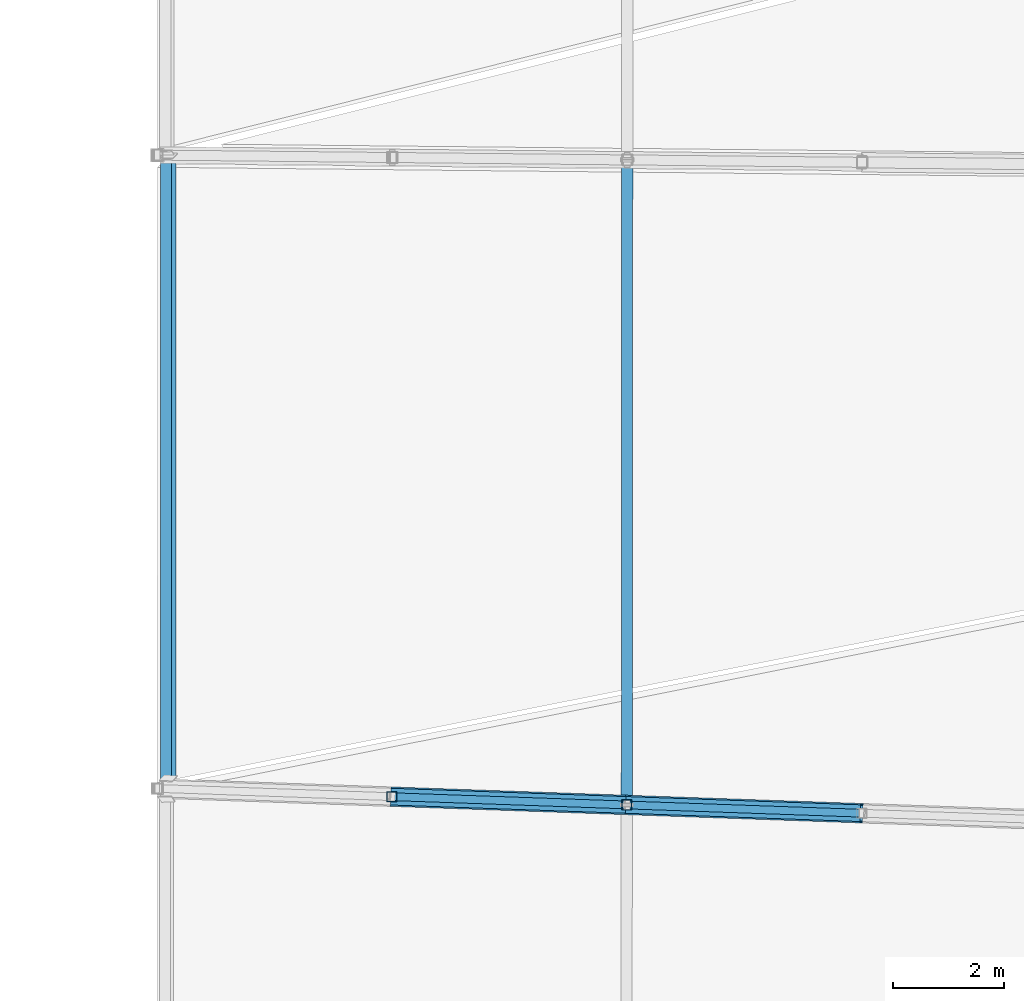
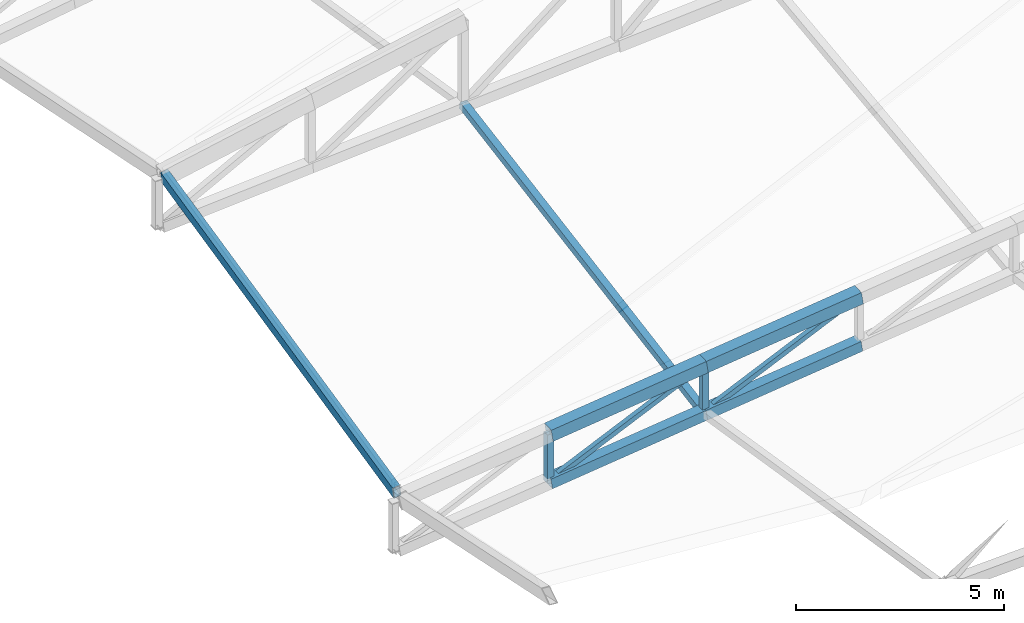
# One storey, part 99 of 344: 9 members, 1 beam.
"""IFC4 building model written with IfcOpenShell, lengths in metres."""

import ifcopenshell
import ifcopenshell.guid

model = None  # the IFC model being written
_history = None  # IfcOwnerHistory: only IFC2X3 demands one
_inside = {}  # id of a spatial element -> (the spatial element, [elements in it])
_under = {}  # id of a project, library or spatial element -> (it, [spatial elements below it])
_declared = {}  # id of a project -> (the project, [libraries it declares])
_typed = {}  # id of a type object -> (the type object, [elements of that type])
_made_of = {}  # id of a material, layer set ... -> (it, [elements and type objects made of it])


def new_model(schema):
    """Start an empty IFC model of exactly this schema.

    Asked for "IFC4X3", IfcOpenShell would pick the latest addendum, in which some entities
    have other attributes; the version numbers below select the first issue.
    IFC2X3 requires an IfcOwnerHistory on every rooted entity: one is made here for all.
    """
    global model, _history
    if schema == "IFC4X3":
        model = ifcopenshell.file(schema_version=(4, 3, 0, 0))
    else:
        model = ifcopenshell.file(schema=schema)
    _inside.clear()
    _under.clear()
    _declared.clear()
    _typed.clear()
    _made_of.clear()
    _history = None
    if model.schema == "IFC2X3":
        org = make("IfcOrganization", Name="unknown")
        user = make(
            "IfcPersonAndOrganization",
            ThePerson=make("IfcPerson", FamilyName="unknown"),
            TheOrganization=org,
        )
        app = make(
            "IfcApplication",
            ApplicationDeveloper=org,
            Version="unknown",
            ApplicationFullName="unknown",
            ApplicationIdentifier="unknown",
        )
        _history = make(
            "IfcOwnerHistory",
            OwningUser=user,
            OwningApplication=app,
            ChangeAction="ADDED",
            CreationDate=0,
        )
    return model


def make(cls, **values):
    """One entity of the class cls with the attributes given. An attribute that is None is left unset."""
    return model.create_entity(
        cls, **{name: value for name, value in values.items() if value is not None}
    )


def rooted(cls, **values):
    """An entity with a GlobalId (a new one), such as an element, a storey or a relation."""
    return make(cls, GlobalId=ifcopenshell.guid.new(), OwnerHistory=_history, **values)


def si_unit(unit_type, name, prefix=None):
    """IfcSIUnit, for example si_unit("LENGTHUNIT", "METRE", prefix="MILLI")."""
    return make("IfcSIUnit", UnitType=unit_type, Prefix=prefix, Name=name)


def assignment(units):
    """IfcUnitAssignment: the units of a project."""
    return None if units is None else make("IfcUnitAssignment", Units=units)


def point(xyz):
    """IfcCartesianPoint."""
    return None if xyz is None else make("IfcCartesianPoint", Coordinates=xyz)


def direction(xyz):
    """IfcDirection."""
    return None if xyz is None else make("IfcDirection", DirectionRatios=xyz)


def frame(location, z_axis=None, x_axis=None):
    """IfcAxis2Placement3D, a coordinate frame: its origin and axes. An axis left out is left unset."""
    return make(
        "IfcAxis2Placement3D",
        Location=point(location),
        Axis=direction(z_axis),
        RefDirection=direction(x_axis),
    )


def frame_2d(location, x_axis=None):
    """IfcAxis2Placement2D, a coordinate frame in the plane: its origin and x axis."""
    return make(
        "IfcAxis2Placement2D", Location=point(location), RefDirection=direction(x_axis)
    )


def origin():
    """The frame at (0, 0, 0) with its axes left unset."""
    return frame((0.0, 0.0, 0.0))


def origin_2d():
    """The frame at (0, 0) in the plane with its x axis left unset."""
    return frame_2d((0.0, 0.0))


def place(relative_to, where):
    """IfcLocalPlacement: puts the frame where relative to a parent placement (None: the world)."""
    return make(
        "IfcLocalPlacement", PlacementRelTo=relative_to, RelativePlacement=where
    )


def context(
    kind, dimensions, precision=None, world=None, true_north=None, identifier=None
):
    """IfcGeometricRepresentationContext, for example the 3D "Model" context."""
    return make(
        "IfcGeometricRepresentationContext",
        ContextIdentifier=identifier,
        ContextType=kind,
        CoordinateSpaceDimension=dimensions,
        Precision=precision,
        WorldCoordinateSystem=world,
        TrueNorth=true_north,
    )


def subcontext(parent, identifier, kind, view, scale=None):
    """IfcGeometricRepresentationSubContext, for example "Body" below "Model"."""
    return make(
        "IfcGeometricRepresentationSubContext",
        ContextIdentifier=identifier,
        ContextType=kind,
        ParentContext=parent,
        TargetScale=scale,
        TargetView=view,
    )


def project(units=None, contexts=None):
    """IfcProject with its units and contexts."""
    return rooted(
        "IfcProject",
        Name="project",
        RepresentationContexts=contexts,
        UnitsInContext=assignment(units),
    )


def spatial(cls, under=None, at=None, **own):
    """A site, building, storey or space (cls), placed at a placement, below another one or the project."""
    s = rooted(cls, ObjectPlacement=at, **own)
    if under is not None:
        _under.setdefault(under.id(), (under, []))[1].append(s)
    return s


def profile(cls, at=None, kind="AREA", **sizes):
    """A parametric profile (cls). Its sizes go by their IFC names, for example OverallWidth=200.0."""
    return make(cls, ProfileType=kind, Position=at, **sizes)


def hollow_rectangle(**sizes):
    """IfcRectangleHollowProfileDef."""
    return profile("IfcRectangleHollowProfileDef", **sizes)


def extrude(swept, where, along, depth):
    """IfcExtrudedAreaSolid: the profile swept, set in the frame where, extruded along a direction by depth."""
    return make(
        "IfcExtrudedAreaSolid",
        SweptArea=swept,
        Position=where,
        ExtrudedDirection=direction(along),
        Depth=depth,
    )


def shape(context_of_items, identifier, shape_type, items):
    """IfcShapeRepresentation: the items that make up one representation, for example the "Body"."""
    return make(
        "IfcShapeRepresentation",
        ContextOfItems=context_of_items,
        RepresentationIdentifier=identifier,
        RepresentationType=shape_type,
        Items=items,
    )


def material(Name=None, Category=None):
    """IfcMaterial."""
    return make("IfcMaterial", Name=Name, Category=Category)


def material_profile(
    of_material, cross_section, Name=None, Category=None, Priority=None
):
    """IfcMaterialProfile: a cross section and its material."""
    return make(
        "IfcMaterialProfile",
        Name=Name,
        Material=of_material,
        Profile=cross_section,
        Priority=Priority,
        Category=Category,
    )


def profile_set(profiles, Name=None, composite=None):
    """IfcMaterialProfileSet."""
    return make(
        "IfcMaterialProfileSet",
        Name=Name,
        MaterialProfiles=profiles,
        CompositeProfile=composite,
    )


def made_of(thing, what):
    """Note that an element or type object is made of a material, layer set ...; save() writes the relation."""
    if what is not None:
        _made_of.setdefault(what.id(), (what, []))[1].append(thing)
    return thing


def type_object(cls, material=None, **own):
    """A type object (cls), such as IfcWallType, which elements share."""
    return made_of(rooted(cls, **own), material)


def element(
    cls,
    number,
    at=None,
    inside=None,
    cuts=None,
    type_object=None,
    material=None,
    context=None,
    identifier="Body",
    shape_type=None,
    held_by="IfcProductDefinitionShape",
    body=None,
    shapes=None,
    **own,
):
    """One element of the class cls, such as IfcWall. Its Tag is "e" and its number.

    at: its placement. inside: the storey or other place that contains it. cuts: it is an
    opening in that element (IfcRelVoidsElement). A single representation is given by context,
    identifier, shape_type and body (its items); several are given by shapes. held_by: the class
    of the entity that holds the representations. save() writes the other relations.
    """
    e = rooted(cls, Tag="e%d" % number, ObjectPlacement=at, **own)
    if body is not None:
        shapes = [shape(context, identifier, shape_type, body)]
    if shapes is not None:
        e.Representation = make(held_by, Representations=shapes)
    if inside is not None:
        _inside.setdefault(inside.id(), (inside, []))[1].append(e)
    if cuts is not None:
        rooted(
            "IfcRelVoidsElement", RelatingBuildingElement=cuts, RelatedOpeningElement=e
        )
    if type_object is not None:
        _typed.setdefault(type_object.id(), (type_object, []))[1].append(e)
    return made_of(e, material)


def aggregate(whole, parts):
    """IfcRelAggregates: a whole, such as a stair, and the parts it consists of."""
    return rooted("IfcRelAggregates", RelatingObject=whole, RelatedObjects=parts)


def save(model, path):
    """Write the relations noted so far, then the file.

    IfcRelAggregates (storeys below a building ...), IfcRelContainedInSpatialStructure (elements
    in a storey), IfcRelDefinesByType, IfcRelAssociatesMaterial and IfcRelDeclares: one each for
    every whole, place, type object, material and project.
    """
    for whole, parts in _under.values():
        aggregate(whole, parts)
    for where, things in _inside.values():
        rooted(
            "IfcRelContainedInSpatialStructure",
            RelatedElements=things,
            RelatingStructure=where,
        )
    for kind, things in _typed.values():
        rooted("IfcRelDefinesByType", RelatedObjects=things, RelatingType=kind)
    for what, things in _made_of.values():
        rooted("IfcRelAssociatesMaterial", RelatedObjects=things, RelatingMaterial=what)
    for by, libraries in _declared.values():
        rooted("IfcRelDeclares", RelatingContext=by, RelatedDefinitions=libraries)
    model.write(path)


model = new_model("IFC4")

# Units and contexts
model_context = context("Model", 3, precision=1e-05, world=origin(), true_north=direction((0.0, 1.0)))
body_context = subcontext(model_context, "Body", "Model", "MODEL_VIEW")
ifc_project = project(units=[si_unit("LENGTHUNIT", "METRE"), si_unit("AREAUNIT", "SQUARE_METRE"), si_unit("VOLUMEUNIT", "CUBIC_METRE"), si_unit("PLANEANGLEUNIT", "RADIAN"), si_unit("MASSUNIT", "GRAM", prefix="KILO")], contexts=[model_context])

# Site, building, storey
site_placement = place(None, origin())
site = spatial("IfcSite", under=ifc_project, at=site_placement, CompositionType="ELEMENT")
building_placement = place(site_placement, origin())
building = spatial("IfcBuilding", under=site, at=building_placement, Name="Meseta Stadium", CompositionType="ELEMENT")
storey_placement = place(building_placement, frame((0.0, 0.0, 24.0)))
storey = spatial("IfcBuildingStorey", under=building, at=storey_placement, Name="L04", CompositionType="ELEMENT", Elevation=24.0)

# Beam
ifc_material_1 = material(Name="Steel S355", Category="steel")
ifc_material_profile_1 = material_profile(ifc_material_1, hollow_rectangle(XDim=0.199951171875, YDim=0.39990234375, WallThickness=0.01611328125, at=origin_2d()), Name="RHS 400x200x16")
ifc_profile_set_1 = profile_set([ifc_material_profile_1], Name="Steel S355")
beam_type = type_object("IfcBeamType", Name="RHS 400x200x16 tip ring beam", PredefinedType="BEAM", material=ifc_profile_set_1)
beam_placement = place(storey_placement, frame((47.19580078125, -16.88427734375, 2.61865234375), z_axis=(0.000255980877, 0.975884428493, 0.218287692506), x_axis=(-0.979299997884, 0.044429136076, -0.197478013995)))
element("IfcBeam", 1, at=beam_placement, inside=storey, type_object=beam_type, Name="TIP RING BEAM 04", PredefinedType="BEAM", context=body_context, shape_type="SweptSolid", body=[
    extrude(hollow_rectangle(XDim=0.199951171875, YDim=0.39990234375, WallThickness=0.01611328125, at=origin_2d()), origin(), (0.0, 0.0, 1.0), 11.445068359375),
])

# Members
ifc_material_2 = material(Name="Steel S355", Category="steel")
ifc_material_profile_2 = material_profile(ifc_material_2, hollow_rectangle(XDim=0.139892578125, YDim=0.139892578125, WallThickness=0.0048828125, at=origin_2d()), Name="SHS 140x140x5")
ifc_profile_set_2 = profile_set([ifc_material_profile_2], Name="Steel S355")
member_type_1 = type_object("IfcMemberType", Name="SHS 140x140x5 diagonal", PredefinedType="BRACE", material=ifc_profile_set_2)
for number, where, z_axis, x_axis, name in (
    (2, (51.21630859375, -17.220947265625, 1.735107421875), (0.898097491679, -0.031644374707, 0.438656504556), (0.035213047643, 0.999379828331, 0.0), "ROOF TRUSS RT-03 diagonal"),
    (3, (55.43603515625, -17.36962890625, 2.3681640625), (0.898066967953, -0.031645130098, 0.438718938288), (0.035215082554, 0.999379756629, 0.0), "ROOF TRUSS RT-03 diagonal"),
):
    element("IfcMember", number, at=place(storey_placement, frame(where, z_axis=z_axis, x_axis=x_axis)), inside=storey, type_object=member_type_1, Name=name, PredefinedType="BRACE", context=body_context, shape_type="SweptSolid", body=[
        extrude(hollow_rectangle(XDim=0.139892578125, YDim=0.139892578125, WallThickness=0.0048828125, at=origin_2d()), origin(), (0.0, 0.0, 1.0), 4.698486328125),
    ])
ifc_material_3 = material(Name="Steel S355", Category="steel")
ifc_material_profile_3 = material_profile(ifc_material_3, hollow_rectangle(XDim=0.179931640625, YDim=0.179931640625, WallThickness=0.00634765625, at=origin_2d()), Name="SHS 180x180x6.3")
ifc_profile_set_3 = profile_set([ifc_material_profile_3], Name="Steel S355")
member_type_2 = type_object("IfcMemberType", Name="SHS 180x180x6.3 post", PredefinedType="POST", material=ifc_profile_set_3)
for number, where, z_axis, x_axis, name in (
    (4, (51.21630859375, -17.220947265625, 1.735107421875), (0.0, 0.0, 1.0), (1.0, 0.0, 0.0), "ROOF TRUSS RT-03 post"),
    (5, (55.43603515625, -17.36962890625, 2.3681640625), (0.0, 0.0, 1.0), (1.0, 0.0, 0.0), "ROOF TRUSS RT-03 post"),
):
    element("IfcMember", number, at=place(storey_placement, frame(where, z_axis=z_axis, x_axis=x_axis)), inside=storey, type_object=member_type_2, Name=name, PredefinedType="POST", context=body_context, shape_type="SweptSolid", body=[
        extrude(hollow_rectangle(XDim=0.179931640625, YDim=0.179931640625, WallThickness=0.00634765625, at=origin_2d()), origin(), (0.0, 0.0, 1.0), 1.427978515625),
    ])
ifc_material_4 = material(Name="Steel S355", Category="steel")
ifc_material_profile_4 = material_profile(ifc_material_4, hollow_rectangle(XDim=0.199951171875, YDim=0.199951171875, WallThickness=0.008056640625, at=origin_2d()), Name="SHS 200x200x8")
ifc_profile_set_4 = profile_set([ifc_material_profile_4], Name="Steel S355")
member_type_3 = type_object("IfcMemberType", Name="SHS 200x200x8 strut", PredefinedType="STRUT", material=ifc_profile_set_4)
member_1_placement = place(storey_placement, frame((55.43603515625, -17.36962890625, 2.3681640625), z_axis=(0.000643302687, 0.985311448024, 0.17076573589), x_axis=(-0.999999786866, 0.000652892597, 0.0)))
element("IfcMember", 6, at=member_1_placement, inside=storey, type_object=member_type_3, Name="ROOF TRUSS STRUT RT-03/04", PredefinedType="STRUT", context=body_context, shape_type="SweptSolid", body=[
    extrude(hollow_rectangle(XDim=0.199951171875, YDim=0.199951171875, WallThickness=0.008056640625, at=origin_2d()), origin(), (0.0, 0.0, 1.0), 11.764892578125),
])
ifc_material_5 = material(Name="Steel S355", Category="steel")
ifc_material_profile_5 = material_profile(ifc_material_5, hollow_rectangle(XDim=0.300048828125, YDim=0.300048828125, WallThickness=0.010009765625, at=origin_2d()), Name="SHS 300x300x10")
ifc_profile_set_5 = profile_set([ifc_material_profile_5], Name="Steel S355")
member_type_4 = type_object("IfcMemberType", Name="SHS 300x300x10 bottom chord", PredefinedType="CHORD", material=ifc_profile_set_5)
member_2_placement = place(storey_placement, frame((51.21630859375, -17.220947265625, 1.735107421875), z_axis=(0.988333174505, -0.034823819907, 0.148272848964), x_axis=(0.035213047643, 0.999379828331, 0.0)))
element("IfcMember", 7, at=member_2_placement, inside=storey, type_object=member_type_4, Name="ROOF TRUSS RT-03 bottom chord", PredefinedType="CHORD", context=body_context, shape_type="SweptSolid", body=[
    extrude(hollow_rectangle(XDim=0.300048828125, YDim=0.300048828125, WallThickness=0.010009765625, at=origin_2d()), origin(), (0.0, 0.0, 1.0), 4.26953125),
])
member_3_placement = place(storey_placement, frame((55.43603515625, -17.36962890625, 2.3681640625), z_axis=(0.988331847912, -0.03482578808, 0.148281229048), x_axis=(0.035215082554, 0.999379756629, 0.0)))
element("IfcMember", 8, at=member_3_placement, inside=storey, type_object=member_type_4, Name="ROOF TRUSS RT-03 bottom chord", PredefinedType="CHORD", context=body_context, shape_type="SweptSolid", body=[
    extrude(hollow_rectangle(XDim=0.300048828125, YDim=0.300048828125, WallThickness=0.010009765625, at=origin_2d()), origin(), (0.0, 0.0, 1.0), 4.269287109375),
])
ifc_material_6 = material(Name="Steel S355", Category="steel")
ifc_material_profile_6 = material_profile(ifc_material_6, hollow_rectangle(XDim=0.35009765625, YDim=0.35009765625, WallThickness=0.010009765625, at=origin_2d()), Name="SHS 350x350x10")
ifc_profile_set_6 = profile_set([ifc_material_profile_6], Name="Steel S355")
member_type_5 = type_object("IfcMemberType", Name="SHS 350x350x10 top chord", PredefinedType="CHORD", material=ifc_profile_set_6)
member_4_placement = place(storey_placement, frame((51.21630859375, -17.220947265625, 3.1630859375), z_axis=(0.988333174505, -0.034823819907, 0.148272848964), x_axis=(0.035213047643, 0.999379828331, 0.0)))
element("IfcMember", 9, at=member_4_placement, inside=storey, type_object=member_type_5, Name="ROOF TRUSS RT-03 top chord", PredefinedType="CHORD", context=body_context, shape_type="SweptSolid", body=[
    extrude(hollow_rectangle(XDim=0.35009765625, YDim=0.35009765625, WallThickness=0.010009765625, at=origin_2d()), origin(), (0.0, 0.0, 1.0), 4.26953125),
])
member_5_placement = place(storey_placement, frame((55.43603515625, -17.36962890625, 3.796142578125), z_axis=(0.98832346585, -0.034825492721, 0.148337156189), x_axis=(0.035215082554, 0.999379756629, 0.0)))
element("IfcMember", 10, at=member_5_placement, inside=storey, type_object=member_type_5, Name="ROOF TRUSS RT-03 top chord", PredefinedType="CHORD", context=body_context, shape_type="SweptSolid", body=[
    extrude(hollow_rectangle(XDim=0.35009765625, YDim=0.35009765625, WallThickness=0.010009765625, at=origin_2d()), origin(), (0.0, 0.0, 1.0), 4.269287109375),
])

save(model, "model.ifc")
